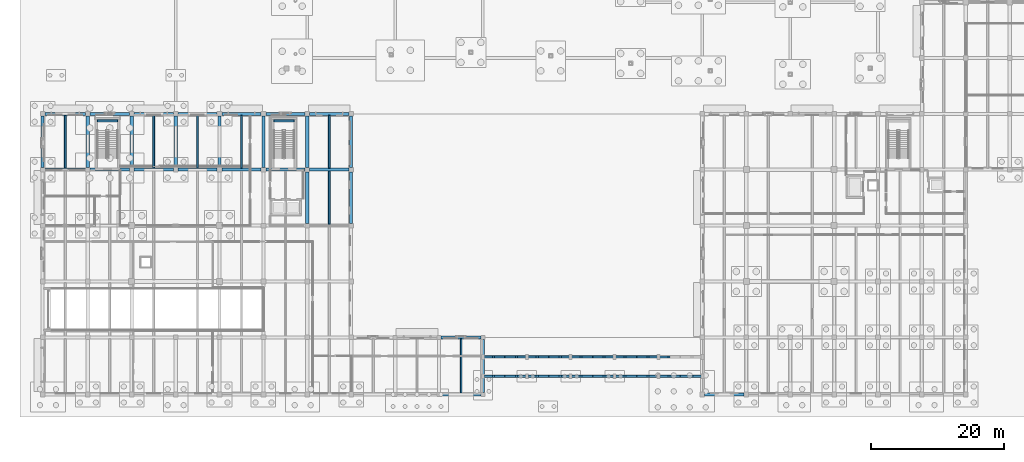
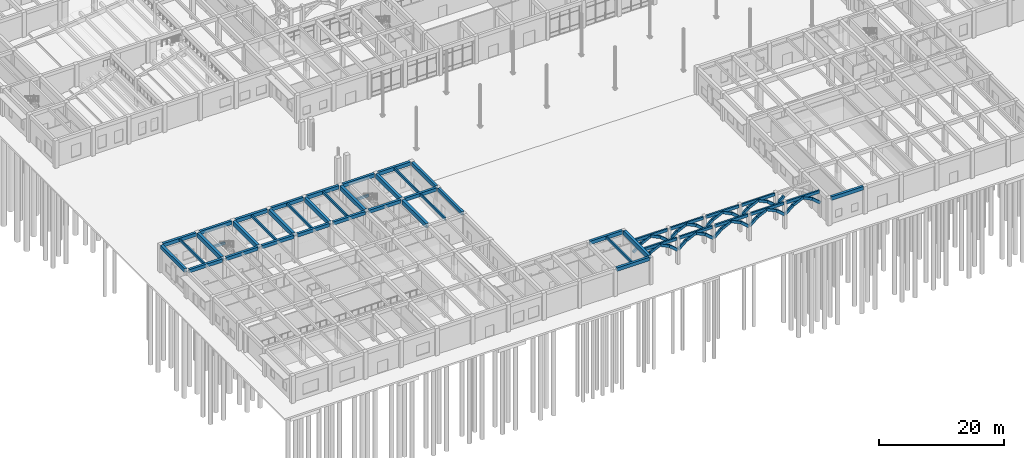
# One storey, part 22 of 82: 46 beams, 37 members.
"""IFC4 building model written with IfcOpenShell, lengths in metres."""

from ifc_helpers import new_model, si_unit, direction, frame, origin, origin_2d, place, context, subcontext, project, spatial, rectangle, extrude, material, material_profile, profile_set, type_object, element, save


model = new_model("IFC4")

# Units and contexts
model_context = context("Model", 3, precision=1e-05, world=origin(), true_north=direction((0.0, 1.0)))
body_context = subcontext(model_context, "Body", "Model", "MODEL_VIEW")
ifc_project = project(units=[si_unit("LENGTHUNIT", "METRE"), si_unit("AREAUNIT", "SQUARE_METRE"), si_unit("VOLUMEUNIT", "CUBIC_METRE"), si_unit("PLANEANGLEUNIT", "RADIAN"), si_unit("MASSUNIT", "GRAM", prefix="KILO")], contexts=[model_context])

# Site, building, storey
site_placement = place(None, origin())
site = spatial("IfcSite", under=ifc_project, at=site_placement, CompositionType="ELEMENT")
building_placement = place(site_placement, origin())
building = spatial("IfcBuilding", under=site, at=building_placement, Name="Kolvaren Faculty of Natural Sciences", CompositionType="ELEMENT")
storey_placement = place(building_placement, origin())
storey = spatial("IfcBuildingStorey", under=building, at=storey_placement, Name="L00", CompositionType="ELEMENT", Elevation=0.0)

# Beams
ifc_material_1 = material(Name="Concrete C40/50", Category="concrete")
ifc_material_profile_1 = material_profile(ifc_material_1, rectangle(XDim=0.300048828125, YDim=0.449951171875, at=origin_2d()), Name="RC LNT 300x450")
ifc_profile_set_1 = profile_set([ifc_material_profile_1], Name="Concrete C40/50")
beam_type_1 = type_object("IfcBeamType", Name="CoreCouplingLintel_300x450", PredefinedType="LINTEL", material=ifc_profile_set_1)
beam_1_placement = place(storey_placement, frame((34.77490234375, 41.1298828125, 2.27490234375), z_axis=(1.0, 0.0, 0.0), x_axis=(0.0, 1.0, 0.0)))
element("IfcBeam", 1, at=beam_1_placement, inside=storey, type_object=beam_type_1, Name="L00 ST-4 half-landing support lintel", PredefinedType="LINTEL", context=body_context, shape_type="SweptSolid", body=[
    extrude(rectangle(XDim=0.300048828125, YDim=0.449951171875, at=origin_2d()), origin(), (0.0, 0.0, 1.0), 3.050048828125),
])
beam_2_placement = place(storey_placement, frame((8.22509765625, 41.1298828125, 2.27490234375), z_axis=(1.0, 0.0, 0.0), x_axis=(0.0, 1.0, 0.0)))
element("IfcBeam", 2, at=beam_2_placement, inside=storey, type_object=beam_type_1, Name="L00 ST-8 half-landing support lintel", PredefinedType="LINTEL", context=body_context, shape_type="SweptSolid", body=[
    extrude(rectangle(XDim=0.300048828125, YDim=0.449951171875, at=origin_2d()), origin(), (0.0, 0.0, 1.0), 3.0498046875),
])
ifc_material_2 = material(Name="Concrete C35/45", Category="concrete")
ifc_material_profile_2 = material_profile(ifc_material_2, rectangle(XDim=0.449951171875, YDim=0.64990234375, at=origin_2d()), Name="RC BM 450x650")
ifc_profile_set_2 = profile_set([ifc_material_profile_2], Name="Concrete C35/45")
beam_type_2 = type_object("IfcBeamType", Name="GridBeam_450x650", PredefinedType="BEAM", material=ifc_profile_set_2)
beam_3_placement = place(storey_placement, frame((0.35009765625, 33.800048828125, 5.074951171875), z_axis=(1.0, 0.0, 0.0), x_axis=(0.0, 1.0, 0.0)))
element("IfcBeam", 3, at=beam_3_placement, inside=storey, type_object=beam_type_2, Name="L00 beam BM-65 on grid E", PredefinedType="BEAM", context=body_context, shape_type="SweptSolid", body=[
    extrude(rectangle(XDim=0.449951171875, YDim=0.64990234375, at=origin_2d()), origin(), (0.0, 0.0, 1.0), 6.099853515625),
])
beam_4_placement = place(storey_placement, frame((7.14990234375, 33.800048828125, 5.074951171875), z_axis=(1.0, 0.0, 0.0), x_axis=(0.0, 1.0, 0.0)))
element("IfcBeam", 4, at=beam_4_placement, inside=storey, type_object=beam_type_2, Name="L00 beam BM-65 on grid E", PredefinedType="BEAM", context=body_context, shape_type="SweptSolid", body=[
    extrude(rectangle(XDim=0.449951171875, YDim=0.64990234375, at=origin_2d()), origin(), (0.0, 0.0, 1.0), 5.900146484375),
])
for number, where, z_axis, x_axis, name in (
    (5, (13.75, 33.800048828125, 5.074951171875), (1.0, 0.0, 0.0), (0.0, 1.0, 0.0), "L00 beam BM-65 on grid E"),
    (6, (20.35009765625, 33.800048828125, 5.074951171875), (1.0, 0.0, 0.0), (0.0, 1.0, 0.0), "L00 beam BM-65 on grid E"),
):
    element("IfcBeam", number, at=place(storey_placement, frame(where, z_axis=z_axis, x_axis=x_axis)), inside=storey, type_object=beam_type_2, Name=name, PredefinedType="BEAM", context=body_context, shape_type="SweptSolid", body=[
        extrude(rectangle(XDim=0.449951171875, YDim=0.64990234375, at=origin_2d()), origin(), (0.0, 0.0, 1.0), 5.89990234375),
    ])
beam_5_placement = place(storey_placement, frame((26.949951171875, 33.800048828125, 5.074951171875), z_axis=(1.0, 0.0, 0.0), x_axis=(0.0, 1.0, 0.0)))
element("IfcBeam", 7, at=beam_5_placement, inside=storey, type_object=beam_type_2, Name="L00 beam BM-65 on grid E", PredefinedType="BEAM", context=body_context, shape_type="SweptSolid", body=[
    extrude(rectangle(XDim=0.449951171875, YDim=0.64990234375, at=origin_2d()), origin(), (0.0, 0.0, 1.0), 5.900146484375),
])
beam_6_placement = place(storey_placement, frame((33.550048828125, 33.800048828125, 5.074951171875), z_axis=(1.0, 0.0, 0.0), x_axis=(0.0, 1.0, 0.0)))
element("IfcBeam", 8, at=beam_6_placement, inside=storey, type_object=beam_type_2, Name="L00 beam BM-65 on grid E", PredefinedType="BEAM", context=body_context, shape_type="SweptSolid", body=[
    extrude(rectangle(XDim=0.449951171875, YDim=0.64990234375, at=origin_2d()), origin(), (0.0, 0.0, 1.0), 5.89990234375),
])
beam_7_placement = place(storey_placement, frame((40.14990234375, 33.800048828125, 5.074951171875), z_axis=(1.0, 0.0, 0.0), x_axis=(0.0, 1.0, 0.0)))
element("IfcBeam", 9, at=beam_7_placement, inside=storey, type_object=beam_type_2, Name="L00 beam BM-65 on grid E", PredefinedType="BEAM", context=body_context, shape_type="SweptSolid", body=[
    extrude(rectangle(XDim=0.449951171875, YDim=0.64990234375, at=origin_2d()), origin(), (0.0, 0.0, 1.0), 5.900146484375),
])
ifc_material_profile_3 = material_profile(ifc_material_2, rectangle(XDim=0.260009765625, YDim=0.5, at=origin_2d()), Name="RC JST 260x500")
ifc_profile_set_3 = profile_set([ifc_material_profile_3], Name="Concrete C35/45")
beam_type_3 = type_object("IfcBeamType", Name="LabRibJoist_260x500", PredefinedType="JOIST", material=ifc_profile_set_3)
for number, where, z_axis, x_axis, name in (
    (10, (3.39990234375, 34.02490234375, 5.14990234375), (0.0, 1.0, 0.0), (-1.0, 0.0, 0.0), "L00 ribbed laboratory slab joist JS-50"),
    (11, (16.699951171875, 34.02490234375, 5.14990234375), (0.0, 1.0, 0.0), (-1.0, 0.0, 0.0), "L00 ribbed laboratory slab joist JS-50"),
    (12, (23.300048828125, 34.02490234375, 5.14990234375), (0.0, 1.0, 0.0), (-1.0, 0.0, 0.0), "L00 ribbed laboratory slab joist JS-50"),
    (13, (29.89990234375, 34.02490234375, 5.14990234375), (0.0, 1.0, 0.0), (-1.0, 0.0, 0.0), "L00 ribbed laboratory slab joist JS-50"),
):
    element("IfcBeam", number, at=place(storey_placement, frame(where, z_axis=z_axis, x_axis=x_axis)), inside=storey, type_object=beam_type_3, Name=name, PredefinedType="JOIST", context=body_context, shape_type="SweptSolid", body=[
        extrude(rectangle(XDim=0.260009765625, YDim=0.5, at=origin_2d()), origin(), (0.0, 0.0, 1.0), 7.9501953125),
    ])
beam_8_placement = place(storey_placement, frame((43.10009765625, 25.625, 5.14990234375), z_axis=(0.0, 1.0, 0.0), x_axis=(-1.0, 0.0, 0.0)))
element("IfcBeam", 14, at=beam_8_placement, inside=storey, type_object=beam_type_3, Name="L00 ribbed laboratory slab joist JS-50", PredefinedType="JOIST", context=body_context, shape_type="SweptSolid", body=[
    extrude(rectangle(XDim=0.260009765625, YDim=0.5, at=origin_2d()), origin(), (0.0, 0.0, 1.0), 7.949951171875),
])
beam_9_placement = place(storey_placement, frame((43.10009765625, 34.02490234375, 5.14990234375), z_axis=(0.0, 1.0, 0.0), x_axis=(-1.0, 0.0, 0.0)))
element("IfcBeam", 15, at=beam_9_placement, inside=storey, type_object=beam_type_3, Name="L00 ribbed laboratory slab joist JS-50", PredefinedType="JOIST", context=body_context, shape_type="SweptSolid", body=[
    extrude(rectangle(XDim=0.260009765625, YDim=0.5, at=origin_2d()), origin(), (0.0, 0.0, 1.0), 7.9501953125),
])
beam_10_placement = place(storey_placement, frame((62.89990234375, 0.22509765625, 5.14990234375), z_axis=(0.0, 1.0, 0.0), x_axis=(-1.0, 0.0, 0.0)))
element("IfcBeam", 16, at=beam_10_placement, inside=storey, type_object=beam_type_3, Name="L00 ribbed laboratory slab joist JS-50", PredefinedType="JOIST", context=body_context, shape_type="SweptSolid", body=[
    extrude(rectangle(XDim=0.260009765625, YDim=0.5, at=origin_2d()), origin(), (0.0, 0.0, 1.0), 8.14990234375),
])

# Members
ifc_material_3 = material(Name="Precast concrete C35/45", Category="concrete")
ifc_material_profile_4 = material_profile(ifc_material_3, rectangle(XDim=0.320068359375, YDim=0.47998046875, at=origin_2d()), Name="RC ARCH 320x480")
ifc_profile_set_4 = profile_set([ifc_material_profile_4], Name="Precast concrete C35/45")
member_type = type_object("IfcMemberType", Name="MughalPointedArchRib_320x480", PredefinedType="CHORD", material=ifc_profile_set_4)
member_1_placement = place(storey_placement, frame((66.2392578125, 2.75, 2.64794921875), z_axis=(0.75937637283, 0.0, 0.65065161522), x_axis=(0.0, 1.0, 0.0)))
element("IfcMember", 17, at=member_1_placement, inside=storey, type_object=member_type, Name="Pointed Mughal arch rib ARG-S-66 segment 1", PredefinedType="CHORD", context=body_context, shape_type="SweptSolid", body=[
    extrude(rectangle(XDim=0.320068359375, YDim=0.47998046875, at=origin_2d()), origin(), (0.0, 0.0, 1.0), 2.01416015625),
])
for number, where, z_axis, x_axis, name in (
    (18, (67.635986328125, 2.75, 3.871337890625), (0.898870823464, 0.0, 0.438213695273), (0.0, 1.0, 0.0), "Pointed Mughal arch rib ARG-S-66 segment 2"),
    (19, (69.427978515625, 2.75, 4.815185546875), (0.898870823464, 0.0, -0.438213695273), (0.0, 1.0, 0.0), "Pointed Mughal arch rib ARG-S-66 segment 3"),
):
    element("IfcMember", number, at=place(storey_placement, frame(where, z_axis=z_axis, x_axis=x_axis)), inside=storey, type_object=member_type, Name=name, PredefinedType="CHORD", context=body_context, shape_type="SweptSolid", body=[
        extrude(rectangle(XDim=0.320068359375, YDim=0.47998046875, at=origin_2d()), origin(), (0.0, 0.0, 1.0), 2.15380859375),
    ])
for number, where, z_axis, x_axis, name in (
    (20, (71.231201171875, 2.75, 3.95849609375), (0.75937637283, 0.0, -0.65065161522), (0.0, 1.0, 0.0), "Pointed Mughal arch rib ARG-S-66 segment 4"),
    (21, (66.2392578125, 5.64990234375, 2.64794921875), (0.75937637283, 0.0, 0.65065161522), (0.0, 1.0, 0.0), "Pointed Mughal arch rib ARG-N-66 segment 1"),
):
    element("IfcMember", number, at=place(storey_placement, frame(where, z_axis=z_axis, x_axis=x_axis)), inside=storey, type_object=member_type, Name=name, PredefinedType="CHORD", context=body_context, shape_type="SweptSolid", body=[
        extrude(rectangle(XDim=0.320068359375, YDim=0.47998046875, at=origin_2d()), origin(), (0.0, 0.0, 1.0), 2.01416015625),
    ])
for number, where, z_axis, x_axis, name in (
    (22, (67.635986328125, 5.64990234375, 3.871337890625), (0.898870823464, 0.0, 0.438213695273), (0.0, 1.0, 0.0), "Pointed Mughal arch rib ARG-N-66 segment 2"),
    (23, (69.427978515625, 5.64990234375, 4.815185546875), (0.898870823464, 0.0, -0.438213695273), (0.0, 1.0, 0.0), "Pointed Mughal arch rib ARG-N-66 segment 3"),
):
    element("IfcMember", number, at=place(storey_placement, frame(where, z_axis=z_axis, x_axis=x_axis)), inside=storey, type_object=member_type, Name=name, PredefinedType="CHORD", context=body_context, shape_type="SweptSolid", body=[
        extrude(rectangle(XDim=0.320068359375, YDim=0.47998046875, at=origin_2d()), origin(), (0.0, 0.0, 1.0), 2.15380859375),
    ])
member_2_placement = place(storey_placement, frame((71.231201171875, 5.64990234375, 3.95849609375), z_axis=(0.75937637283, 0.0, -0.65065161522), x_axis=(0.0, 1.0, 0.0)))
element("IfcMember", 24, at=member_2_placement, inside=storey, type_object=member_type, Name="Pointed Mughal arch rib ARG-N-66 segment 4", PredefinedType="CHORD", context=body_context, shape_type="SweptSolid", body=[
    extrude(rectangle(XDim=0.320068359375, YDim=0.47998046875, at=origin_2d()), origin(), (0.0, 0.0, 1.0), 2.01416015625),
])
member_3_placement = place(storey_placement, frame((72.839111328125, 2.75, 2.64794921875), z_axis=(0.75942767941, 0.0, 0.650591730462), x_axis=(0.0, 1.0, 0.0)))
element("IfcMember", 25, at=member_3_placement, inside=storey, type_object=member_type, Name="Pointed Mughal arch rib ARG-S-72 segment 1", PredefinedType="CHORD", context=body_context, shape_type="SweptSolid", body=[
    extrude(rectangle(XDim=0.320068359375, YDim=0.47998046875, at=origin_2d()), origin(), (0.0, 0.0, 1.0), 2.014404296875),
])
for number, where, z_axis, x_axis, name in (
    (26, (74.236083984375, 2.75, 3.871337890625), (0.898849053267, 0.0, 0.438258347828), (0.0, 1.0, 0.0), "Pointed Mughal arch rib ARG-S-72 segment 2"),
    (27, (76.028076171875, 2.75, 4.815185546875), (0.898849053267, 0.0, -0.438258347828), (0.0, 1.0, 0.0), "Pointed Mughal arch rib ARG-S-72 segment 3"),
):
    element("IfcMember", number, at=place(storey_placement, frame(where, z_axis=z_axis, x_axis=x_axis)), inside=storey, type_object=member_type, Name=name, PredefinedType="CHORD", context=body_context, shape_type="SweptSolid", body=[
        extrude(rectangle(XDim=0.320068359375, YDim=0.47998046875, at=origin_2d()), origin(), (0.0, 0.0, 1.0), 2.153564453125),
    ])
member_4_placement = place(storey_placement, frame((77.831298828125, 2.75, 3.95849609375), z_axis=(0.75937637283, 0.0, -0.65065161522), x_axis=(0.0, 1.0, 0.0)))
element("IfcMember", 28, at=member_4_placement, inside=storey, type_object=member_type, Name="Pointed Mughal arch rib ARG-S-72 segment 4", PredefinedType="CHORD", context=body_context, shape_type="SweptSolid", body=[
    extrude(rectangle(XDim=0.320068359375, YDim=0.47998046875, at=origin_2d()), origin(), (0.0, 0.0, 1.0), 2.01416015625),
])
member_5_placement = place(storey_placement, frame((72.839111328125, 5.64990234375, 2.64794921875), z_axis=(0.75942767941, 0.0, 0.650591730462), x_axis=(0.0, 1.0, 0.0)))
element("IfcMember", 29, at=member_5_placement, inside=storey, type_object=member_type, Name="Pointed Mughal arch rib ARG-N-72 segment 1", PredefinedType="CHORD", context=body_context, shape_type="SweptSolid", body=[
    extrude(rectangle(XDim=0.320068359375, YDim=0.47998046875, at=origin_2d()), origin(), (0.0, 0.0, 1.0), 2.014404296875),
])
for number, where, z_axis, x_axis, name in (
    (30, (74.236083984375, 5.64990234375, 3.871337890625), (0.898849053267, 0.0, 0.438258347828), (0.0, 1.0, 0.0), "Pointed Mughal arch rib ARG-N-72 segment 2"),
    (31, (76.028076171875, 5.64990234375, 4.815185546875), (0.898849053267, 0.0, -0.438258347828), (0.0, 1.0, 0.0), "Pointed Mughal arch rib ARG-N-72 segment 3"),
):
    element("IfcMember", number, at=place(storey_placement, frame(where, z_axis=z_axis, x_axis=x_axis)), inside=storey, type_object=member_type, Name=name, PredefinedType="CHORD", context=body_context, shape_type="SweptSolid", body=[
        extrude(rectangle(XDim=0.320068359375, YDim=0.47998046875, at=origin_2d()), origin(), (0.0, 0.0, 1.0), 2.153564453125),
    ])
for number, where, z_axis, x_axis, name in (
    (32, (77.831298828125, 5.64990234375, 3.95849609375), (0.75937637283, 0.0, -0.65065161522), (0.0, 1.0, 0.0), "Pointed Mughal arch rib ARG-N-72 segment 4"),
    (33, (79.439208984375, 2.75, 2.64794921875), (0.75937637283, 0.0, 0.65065161522), (0.0, 1.0, 0.0), "Pointed Mughal arch rib ARG-S-79 segment 1"),
):
    element("IfcMember", number, at=place(storey_placement, frame(where, z_axis=z_axis, x_axis=x_axis)), inside=storey, type_object=member_type, Name=name, PredefinedType="CHORD", context=body_context, shape_type="SweptSolid", body=[
        extrude(rectangle(XDim=0.320068359375, YDim=0.47998046875, at=origin_2d()), origin(), (0.0, 0.0, 1.0), 2.01416015625),
    ])
for number, where, z_axis, x_axis, name in (
    (34, (80.836181640625, 2.75, 3.871337890625), (0.898849053267, 0.0, 0.438258347828), (0.0, 1.0, 0.0), "Pointed Mughal arch rib ARG-S-79 segment 2"),
    (35, (82.628173828125, 2.75, 4.815185546875), (0.898849053267, 0.0, -0.438258347828), (0.0, 1.0, 0.0), "Pointed Mughal arch rib ARG-S-79 segment 3"),
):
    element("IfcMember", number, at=place(storey_placement, frame(where, z_axis=z_axis, x_axis=x_axis)), inside=storey, type_object=member_type, Name=name, PredefinedType="CHORD", context=body_context, shape_type="SweptSolid", body=[
        extrude(rectangle(XDim=0.320068359375, YDim=0.47998046875, at=origin_2d()), origin(), (0.0, 0.0, 1.0), 2.153564453125),
    ])
for number, where, z_axis, x_axis, name in (
    (36, (84.43115234375, 2.75, 3.95849609375), (0.75937637283, 0.0, -0.65065161522), (0.0, 1.0, 0.0), "Pointed Mughal arch rib ARG-S-79 segment 4"),
    (37, (79.439208984375, 5.64990234375, 2.64794921875), (0.75937637283, 0.0, 0.65065161522), (0.0, 1.0, 0.0), "Pointed Mughal arch rib ARG-N-79 segment 1"),
):
    element("IfcMember", number, at=place(storey_placement, frame(where, z_axis=z_axis, x_axis=x_axis)), inside=storey, type_object=member_type, Name=name, PredefinedType="CHORD", context=body_context, shape_type="SweptSolid", body=[
        extrude(rectangle(XDim=0.320068359375, YDim=0.47998046875, at=origin_2d()), origin(), (0.0, 0.0, 1.0), 2.01416015625),
    ])
for number, where, z_axis, x_axis, name in (
    (38, (80.836181640625, 5.64990234375, 3.871337890625), (0.898849053267, 0.0, 0.438258347828), (0.0, 1.0, 0.0), "Pointed Mughal arch rib ARG-N-79 segment 2"),
    (39, (82.628173828125, 5.64990234375, 4.815185546875), (0.898849053267, 0.0, -0.438258347828), (0.0, 1.0, 0.0), "Pointed Mughal arch rib ARG-N-79 segment 3"),
):
    element("IfcMember", number, at=place(storey_placement, frame(where, z_axis=z_axis, x_axis=x_axis)), inside=storey, type_object=member_type, Name=name, PredefinedType="CHORD", context=body_context, shape_type="SweptSolid", body=[
        extrude(rectangle(XDim=0.320068359375, YDim=0.47998046875, at=origin_2d()), origin(), (0.0, 0.0, 1.0), 2.153564453125),
    ])
for number, where, z_axis, x_axis, name in (
    (40, (84.43115234375, 5.64990234375, 3.95849609375), (0.75937637283, 0.0, -0.65065161522), (0.0, 1.0, 0.0), "Pointed Mughal arch rib ARG-N-79 segment 4"),
    (41, (86.039306640625, 2.75, 2.64794921875), (0.75937637283, 0.0, 0.65065161522), (0.0, 1.0, 0.0), "Pointed Mughal arch rib ARG-S-86 segment 1"),
):
    element("IfcMember", number, at=place(storey_placement, frame(where, z_axis=z_axis, x_axis=x_axis)), inside=storey, type_object=member_type, Name=name, PredefinedType="CHORD", context=body_context, shape_type="SweptSolid", body=[
        extrude(rectangle(XDim=0.320068359375, YDim=0.47998046875, at=origin_2d()), origin(), (0.0, 0.0, 1.0), 2.01416015625),
    ])
for number, where, z_axis, x_axis, name in (
    (42, (87.43603515625, 2.75, 3.871337890625), (0.898849053267, 0.0, 0.438258347828), (0.0, 1.0, 0.0), "Pointed Mughal arch rib ARG-S-86 segment 2"),
    (43, (89.22802734375, 2.75, 4.815185546875), (0.898849053267, 0.0, -0.438258347828), (0.0, 1.0, 0.0), "Pointed Mughal arch rib ARG-S-86 segment 3"),
):
    element("IfcMember", number, at=place(storey_placement, frame(where, z_axis=z_axis, x_axis=x_axis)), inside=storey, type_object=member_type, Name=name, PredefinedType="CHORD", context=body_context, shape_type="SweptSolid", body=[
        extrude(rectangle(XDim=0.320068359375, YDim=0.47998046875, at=origin_2d()), origin(), (0.0, 0.0, 1.0), 2.153564453125),
    ])
for number, where, z_axis, x_axis, name in (
    (44, (91.03125, 2.75, 3.95849609375), (0.75937637283, 0.0, -0.65065161522), (0.0, 1.0, 0.0), "Pointed Mughal arch rib ARG-S-86 segment 4"),
    (45, (86.039306640625, 5.64990234375, 2.64794921875), (0.75937637283, 0.0, 0.65065161522), (0.0, 1.0, 0.0), "Pointed Mughal arch rib ARG-N-86 segment 1"),
):
    element("IfcMember", number, at=place(storey_placement, frame(where, z_axis=z_axis, x_axis=x_axis)), inside=storey, type_object=member_type, Name=name, PredefinedType="CHORD", context=body_context, shape_type="SweptSolid", body=[
        extrude(rectangle(XDim=0.320068359375, YDim=0.47998046875, at=origin_2d()), origin(), (0.0, 0.0, 1.0), 2.01416015625),
    ])
for number, where, z_axis, x_axis, name in (
    (46, (87.43603515625, 5.64990234375, 3.871337890625), (0.898849053267, 0.0, 0.438258347828), (0.0, 1.0, 0.0), "Pointed Mughal arch rib ARG-N-86 segment 2"),
    (47, (89.22802734375, 5.64990234375, 4.815185546875), (0.898849053267, 0.0, -0.438258347828), (0.0, 1.0, 0.0), "Pointed Mughal arch rib ARG-N-86 segment 3"),
):
    element("IfcMember", number, at=place(storey_placement, frame(where, z_axis=z_axis, x_axis=x_axis)), inside=storey, type_object=member_type, Name=name, PredefinedType="CHORD", context=body_context, shape_type="SweptSolid", body=[
        extrude(rectangle(XDim=0.320068359375, YDim=0.47998046875, at=origin_2d()), origin(), (0.0, 0.0, 1.0), 2.153564453125),
    ])
for number, where, z_axis, x_axis, name in (
    (48, (91.03125, 5.64990234375, 3.95849609375), (0.75937637283, 0.0, -0.65065161522), (0.0, 1.0, 0.0), "Pointed Mughal arch rib ARG-N-86 segment 4"),
    (49, (92.63916015625, 2.75, 2.64794921875), (0.75937637283, 0.0, 0.65065161522), (0.0, 1.0, 0.0), "Pointed Mughal arch rib ARG-S-92 segment 1"),
):
    element("IfcMember", number, at=place(storey_placement, frame(where, z_axis=z_axis, x_axis=x_axis)), inside=storey, type_object=member_type, Name=name, PredefinedType="CHORD", context=body_context, shape_type="SweptSolid", body=[
        extrude(rectangle(XDim=0.320068359375, YDim=0.47998046875, at=origin_2d()), origin(), (0.0, 0.0, 1.0), 2.01416015625),
    ])
for number, where, z_axis, x_axis, name in (
    (50, (94.0361328125, 2.75, 3.871337890625), (0.898849053267, 0.0, 0.438258347828), (0.0, 1.0, 0.0), "Pointed Mughal arch rib ARG-S-92 segment 2"),
    (51, (95.828125, 2.75, 4.815185546875), (0.898849053267, 0.0, -0.438258347828), (0.0, 1.0, 0.0), "Pointed Mughal arch rib ARG-S-92 segment 3"),
):
    element("IfcMember", number, at=place(storey_placement, frame(where, z_axis=z_axis, x_axis=x_axis)), inside=storey, type_object=member_type, Name=name, PredefinedType="CHORD", context=body_context, shape_type="SweptSolid", body=[
        extrude(rectangle(XDim=0.320068359375, YDim=0.47998046875, at=origin_2d()), origin(), (0.0, 0.0, 1.0), 2.153564453125),
    ])
member_6_placement = place(storey_placement, frame((97.631103515625, 2.75, 3.95849609375), z_axis=(0.75942767941, 0.0, -0.650591730462), x_axis=(0.0, 1.0, 0.0)))
element("IfcMember", 52, at=member_6_placement, inside=storey, type_object=member_type, Name="Pointed Mughal arch rib ARG-S-92 segment 4", PredefinedType="CHORD", context=body_context, shape_type="SweptSolid", body=[
    extrude(rectangle(XDim=0.320068359375, YDim=0.47998046875, at=origin_2d()), origin(), (0.0, 0.0, 1.0), 2.014404296875),
])
member_7_placement = place(storey_placement, frame((92.63916015625, 5.64990234375, 2.64794921875), z_axis=(0.75937637283, 0.0, 0.65065161522), x_axis=(0.0, 1.0, 0.0)))
element("IfcMember", 53, at=member_7_placement, inside=storey, type_object=member_type, Name="Pointed Mughal arch rib ARG-N-92 segment 1", PredefinedType="CHORD", context=body_context, shape_type="SweptSolid", body=[
    extrude(rectangle(XDim=0.320068359375, YDim=0.47998046875, at=origin_2d()), origin(), (0.0, 0.0, 1.0), 2.01416015625),
])

# Beams
ifc_material_profile_5 = material_profile(ifc_material_2, rectangle(XDim=0.300048828125, YDim=0.550048828125, at=origin_2d()), Name="RC SP 300x550")
ifc_profile_set_5 = profile_set([ifc_material_profile_5], Name="Concrete C35/45")
beam_type_4 = type_object("IfcBeamType", Name="PerimeterSpandrel_300x550", PredefinedType="SPANDREL", material=ifc_profile_set_5)
for number, where, z_axis, x_axis, name in (
    (54, (66.429931640625, 2.75, 4.89990234375), (1.0, 0.0, 0.0), (0.0, 1.0, 0.0), "Chahar Bagh pointed-arch colonnade spandrel beam"),
    (55, (66.429931640625, 5.64990234375, 4.89990234375), (1.0, 0.0, 0.0), (0.0, 1.0, 0.0), "Chahar Bagh pointed-arch colonnade spandrel beam"),
):
    element("IfcBeam", number, at=place(storey_placement, frame(where, z_axis=z_axis, x_axis=x_axis)), inside=storey, type_object=beam_type_4, Name=name, PredefinedType="SPANDREL", context=body_context, shape_type="SweptSolid", body=[
        extrude(rectangle(XDim=0.300048828125, YDim=0.550048828125, at=origin_2d()), origin(), (0.0, 0.0, 1.0), 6.14013671875),
    ])
for number, where, z_axis, x_axis, name in (
    (56, (73.030029296875, 2.75, 4.89990234375), (1.0, 0.0, 0.0), (0.0, 1.0, 0.0), "Chahar Bagh pointed-arch colonnade spandrel beam"),
    (57, (73.030029296875, 5.64990234375, 4.89990234375), (1.0, 0.0, 0.0), (0.0, 1.0, 0.0), "Chahar Bagh pointed-arch colonnade spandrel beam"),
):
    element("IfcBeam", number, at=place(storey_placement, frame(where, z_axis=z_axis, x_axis=x_axis)), inside=storey, type_object=beam_type_4, Name=name, PredefinedType="SPANDREL", context=body_context, shape_type="SweptSolid", body=[
        extrude(rectangle(XDim=0.300048828125, YDim=0.550048828125, at=origin_2d()), origin(), (0.0, 0.0, 1.0), 6.139892578125),
    ])
for number, where, z_axis, x_axis, name in (
    (58, (79.6298828125, 2.75, 4.89990234375), (1.0, 0.0, 0.0), (0.0, 1.0, 0.0), "Chahar Bagh pointed-arch colonnade spandrel beam"),
    (59, (79.6298828125, 5.64990234375, 4.89990234375), (1.0, 0.0, 0.0), (0.0, 1.0, 0.0), "Chahar Bagh pointed-arch colonnade spandrel beam"),
    (60, (86.22998046875, 2.75, 4.89990234375), (1.0, 0.0, 0.0), (0.0, 1.0, 0.0), "Chahar Bagh pointed-arch colonnade spandrel beam"),
    (61, (86.22998046875, 5.64990234375, 4.89990234375), (1.0, 0.0, 0.0), (0.0, 1.0, 0.0), "Chahar Bagh pointed-arch colonnade spandrel beam"),
):
    element("IfcBeam", number, at=place(storey_placement, frame(where, z_axis=z_axis, x_axis=x_axis)), inside=storey, type_object=beam_type_4, Name=name, PredefinedType="SPANDREL", context=body_context, shape_type="SweptSolid", body=[
        extrude(rectangle(XDim=0.300048828125, YDim=0.550048828125, at=origin_2d()), origin(), (0.0, 0.0, 1.0), 6.14013671875),
    ])
beam_11_placement = place(storey_placement, frame((92.830078125, 2.75, 4.89990234375), z_axis=(1.0, 0.0, 0.0), x_axis=(0.0, 1.0, 0.0)))
element("IfcBeam", 62, at=beam_11_placement, inside=storey, type_object=beam_type_4, Name="Chahar Bagh pointed-arch colonnade spandrel beam", PredefinedType="SPANDREL", context=body_context, shape_type="SweptSolid", body=[
    extrude(rectangle(XDim=0.300048828125, YDim=0.550048828125, at=origin_2d()), origin(), (0.0, 0.0, 1.0), 6.139892578125),
])
ifc_material_profile_6 = material_profile(ifc_material_2, rectangle(XDim=0.449951171875, YDim=0.699951171875, at=origin_2d()), Name="RC SP 450x700")
ifc_profile_set_6 = profile_set([ifc_material_profile_6], Name="Concrete C35/45")
beam_type_5 = type_object("IfcBeamType", Name="PerimeterSpandrel_450x700", PredefinedType="SPANDREL", material=ifc_profile_set_6)
beam_12_placement = place(storey_placement, frame((59.89990234375, 0.0, 5.050048828125), z_axis=(1.0, 0.0, 0.0), x_axis=(0.0, 1.0, 0.0)))
element("IfcBeam", 63, at=beam_12_placement, inside=storey, type_object=beam_type_5, Name="L00 spandrel SP-70 on grid A", PredefinedType="SPANDREL", context=body_context, shape_type="SweptSolid", body=[
    extrude(rectangle(XDim=0.449951171875, YDim=0.699951171875, at=origin_2d()), origin(), (0.0, 0.0, 1.0), 6.0),
])
beam_13_placement = place(storey_placement, frame((99.550048828125, 0.0, 5.050048828125), z_axis=(1.0, 0.0, 0.0), x_axis=(0.0, 1.0, 0.0)))
element("IfcBeam", 64, at=beam_13_placement, inside=storey, type_object=beam_type_5, Name="L00 spandrel SP-70 on grid A", PredefinedType="SPANDREL", context=body_context, shape_type="SweptSolid", body=[
    extrude(rectangle(XDim=0.449951171875, YDim=0.699951171875, at=origin_2d()), origin(), (0.0, 0.0, 1.0), 5.89990234375),
])
beam_14_placement = place(storey_placement, frame((59.89990234375, 8.60009765625, 5.050048828125), z_axis=(1.0, 0.0, 0.0), x_axis=(0.0, 1.0, 0.0)))
element("IfcBeam", 65, at=beam_14_placement, inside=storey, type_object=beam_type_5, Name="L00 spandrel SP-70 on grid B", PredefinedType="SPANDREL", context=body_context, shape_type="SweptSolid", body=[
    extrude(rectangle(XDim=0.449951171875, YDim=0.699951171875, at=origin_2d()), origin(), (0.0, 0.0, 1.0), 6.0),
])
beam_15_placement = place(storey_placement, frame((0.35009765625, 42.199951171875, 5.050048828125), z_axis=(1.0, 0.0, 0.0), x_axis=(0.0, 1.0, 0.0)))
element("IfcBeam", 66, at=beam_15_placement, inside=storey, type_object=beam_type_5, Name="L00 spandrel SP-70 on grid F", PredefinedType="SPANDREL", context=body_context, shape_type="SweptSolid", body=[
    extrude(rectangle(XDim=0.449951171875, YDim=0.699951171875, at=origin_2d()), origin(), (0.0, 0.0, 1.0), 6.099853515625),
])
beam_16_placement = place(storey_placement, frame((7.14990234375, 42.199951171875, 5.050048828125), z_axis=(1.0, 0.0, 0.0), x_axis=(0.0, 1.0, 0.0)))
element("IfcBeam", 67, at=beam_16_placement, inside=storey, type_object=beam_type_5, Name="L00 spandrel SP-70 on grid F", PredefinedType="SPANDREL", context=body_context, shape_type="SweptSolid", body=[
    extrude(rectangle(XDim=0.449951171875, YDim=0.699951171875, at=origin_2d()), origin(), (0.0, 0.0, 1.0), 5.900146484375),
])
for number, where, z_axis, x_axis, name in (
    (68, (13.75, 42.199951171875, 5.050048828125), (1.0, 0.0, 0.0), (0.0, 1.0, 0.0), "L00 spandrel SP-70 on grid F"),
    (69, (20.35009765625, 42.199951171875, 5.050048828125), (1.0, 0.0, 0.0), (0.0, 1.0, 0.0), "L00 spandrel SP-70 on grid F"),
):
    element("IfcBeam", number, at=place(storey_placement, frame(where, z_axis=z_axis, x_axis=x_axis)), inside=storey, type_object=beam_type_5, Name=name, PredefinedType="SPANDREL", context=body_context, shape_type="SweptSolid", body=[
        extrude(rectangle(XDim=0.449951171875, YDim=0.699951171875, at=origin_2d()), origin(), (0.0, 0.0, 1.0), 5.89990234375),
    ])
beam_17_placement = place(storey_placement, frame((26.949951171875, 42.199951171875, 5.050048828125), z_axis=(1.0, 0.0, 0.0), x_axis=(0.0, 1.0, 0.0)))
element("IfcBeam", 70, at=beam_17_placement, inside=storey, type_object=beam_type_5, Name="L00 spandrel SP-70 on grid F", PredefinedType="SPANDREL", context=body_context, shape_type="SweptSolid", body=[
    extrude(rectangle(XDim=0.449951171875, YDim=0.699951171875, at=origin_2d()), origin(), (0.0, 0.0, 1.0), 5.900146484375),
])
beam_18_placement = place(storey_placement, frame((33.550048828125, 42.199951171875, 5.050048828125), z_axis=(1.0, 0.0, 0.0), x_axis=(0.0, 1.0, 0.0)))
element("IfcBeam", 71, at=beam_18_placement, inside=storey, type_object=beam_type_5, Name="L00 spandrel SP-70 on grid F", PredefinedType="SPANDREL", context=body_context, shape_type="SweptSolid", body=[
    extrude(rectangle(XDim=0.449951171875, YDim=0.699951171875, at=origin_2d()), origin(), (0.0, 0.0, 1.0), 5.89990234375),
])
beam_19_placement = place(storey_placement, frame((40.14990234375, 42.199951171875, 5.050048828125), z_axis=(1.0, 0.0, 0.0), x_axis=(0.0, 1.0, 0.0)))
element("IfcBeam", 72, at=beam_19_placement, inside=storey, type_object=beam_type_5, Name="L00 spandrel SP-70 on grid F", PredefinedType="SPANDREL", context=body_context, shape_type="SweptSolid", body=[
    extrude(rectangle(XDim=0.449951171875, YDim=0.699951171875, at=origin_2d()), origin(), (0.0, 0.0, 1.0), 5.900146484375),
])
beam_20_placement = place(storey_placement, frame((0.0, 34.14990234375, 5.050048828125), z_axis=(0.0, 1.0, 0.0), x_axis=(-1.0, 0.0, 0.0)))
element("IfcBeam", 73, at=beam_20_placement, inside=storey, type_object=beam_type_5, Name="L00 girder SP-70 on grid 1", PredefinedType="SPANDREL", context=body_context, shape_type="SweptSolid", body=[
    extrude(rectangle(XDim=0.449951171875, YDim=0.699951171875, at=origin_2d()), origin(), (0.0, 0.0, 1.0), 7.7001953125),
])
beam_21_placement = place(storey_placement, frame((46.39990234375, 25.75, 5.050048828125), z_axis=(0.0, 1.0, 0.0), x_axis=(-1.0, 0.0, 0.0)))
element("IfcBeam", 74, at=beam_21_placement, inside=storey, type_object=beam_type_5, Name="L00 girder SP-70 on grid 8", PredefinedType="SPANDREL", context=body_context, shape_type="SweptSolid", body=[
    extrude(rectangle(XDim=0.449951171875, YDim=0.699951171875, at=origin_2d()), origin(), (0.0, 0.0, 1.0), 7.699951171875),
])
beam_22_placement = place(storey_placement, frame((46.39990234375, 34.14990234375, 5.050048828125), z_axis=(0.0, 1.0, 0.0), x_axis=(-1.0, 0.0, 0.0)))
element("IfcBeam", 75, at=beam_22_placement, inside=storey, type_object=beam_type_5, Name="L00 girder SP-70 on grid 8", PredefinedType="SPANDREL", context=body_context, shape_type="SweptSolid", body=[
    extrude(rectangle(XDim=0.449951171875, YDim=0.699951171875, at=origin_2d()), origin(), (0.0, 0.0, 1.0), 7.7001953125),
])
ifc_material_profile_7 = material_profile(ifc_material_2, rectangle(XDim=0.5, YDim=0.85009765625, at=origin_2d()), Name="RC BM 500x850")
ifc_profile_set_7 = profile_set([ifc_material_profile_7], Name="Concrete C35/45")
beam_type_6 = type_object("IfcBeamType", Name="PrimaryGirder_500x850", PredefinedType="BEAM", material=ifc_profile_set_7)
for number, where, z_axis, x_axis, name in (
    (76, (6.800048828125, 34.14990234375, 4.97509765625), (0.0, 1.0, 0.0), (-1.0, 0.0, 0.0), "L00 girder BG-85 on grid 2"),
    (77, (13.39990234375, 34.14990234375, 4.97509765625), (0.0, 1.0, 0.0), (-1.0, 0.0, 0.0), "L00 girder BG-85 on grid 3"),
    (78, (20.0, 34.14990234375, 4.97509765625), (0.0, 1.0, 0.0), (-1.0, 0.0, 0.0), "L00 girder BG-85 on grid 4"),
    (79, (26.60009765625, 34.14990234375, 4.97509765625), (0.0, 1.0, 0.0), (-1.0, 0.0, 0.0), "L00 girder BG-85 on grid 5"),
    (80, (33.199951171875, 34.14990234375, 4.97509765625), (0.0, 1.0, 0.0), (-1.0, 0.0, 0.0), "L00 girder BG-85 on grid 6"),
):
    element("IfcBeam", number, at=place(storey_placement, frame(where, z_axis=z_axis, x_axis=x_axis)), inside=storey, type_object=beam_type_6, Name=name, PredefinedType="BEAM", context=body_context, shape_type="SweptSolid", body=[
        extrude(rectangle(XDim=0.5, YDim=0.85009765625, at=origin_2d()), origin(), (0.0, 0.0, 1.0), 7.7001953125),
    ])
beam_23_placement = place(storey_placement, frame((39.800048828125, 25.75, 4.97509765625), z_axis=(0.0, 1.0, 0.0), x_axis=(-1.0, 0.0, 0.0)))
element("IfcBeam", 81, at=beam_23_placement, inside=storey, type_object=beam_type_6, Name="L00 girder BG-85 on grid 7", PredefinedType="BEAM", context=body_context, shape_type="SweptSolid", body=[
    extrude(rectangle(XDim=0.5, YDim=0.85009765625, at=origin_2d()), origin(), (0.0, 0.0, 1.0), 7.699951171875),
])
beam_24_placement = place(storey_placement, frame((39.800048828125, 34.14990234375, 4.97509765625), z_axis=(0.0, 1.0, 0.0), x_axis=(-1.0, 0.0, 0.0)))
element("IfcBeam", 82, at=beam_24_placement, inside=storey, type_object=beam_type_6, Name="L00 girder BG-85 on grid 7", PredefinedType="BEAM", context=body_context, shape_type="SweptSolid", body=[
    extrude(rectangle(XDim=0.5, YDim=0.85009765625, at=origin_2d()), origin(), (0.0, 0.0, 1.0), 7.7001953125),
])
beam_25_placement = place(storey_placement, frame((66.199951171875, 0.300048828125, 4.97509765625), z_axis=(0.0, 1.0, 0.0), x_axis=(-1.0, 0.0, 0.0)))
element("IfcBeam", 83, at=beam_25_placement, inside=storey, type_object=beam_type_6, Name="L00 girder BG-85 on grid 11", PredefinedType="BEAM", context=body_context, shape_type="SweptSolid", body=[
    extrude(rectangle(XDim=0.5, YDim=0.85009765625, at=origin_2d()), origin(), (0.0, 0.0, 1.0), 8.0),
])

save(model, "model.ifc")
